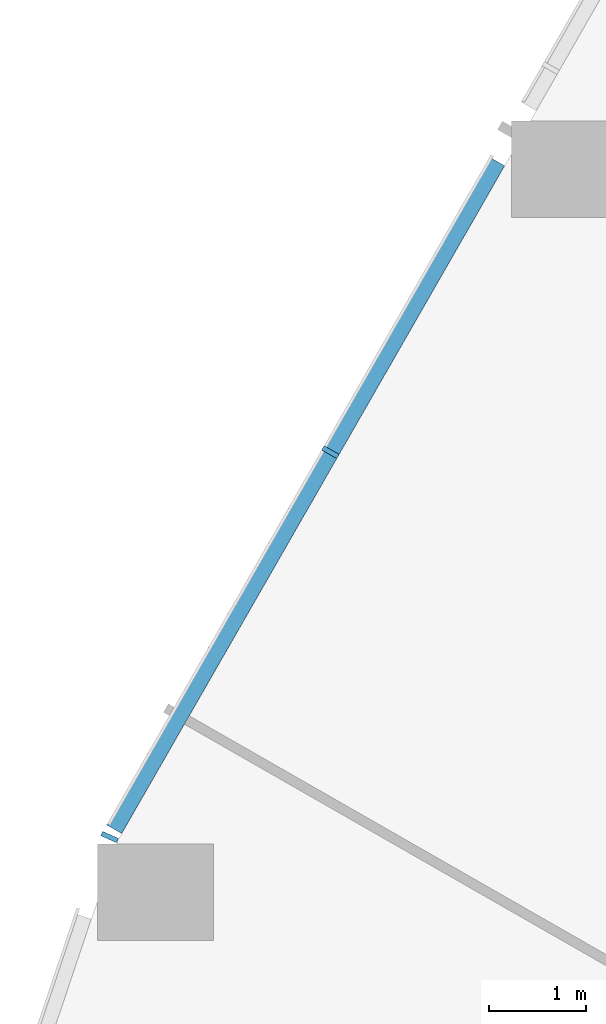
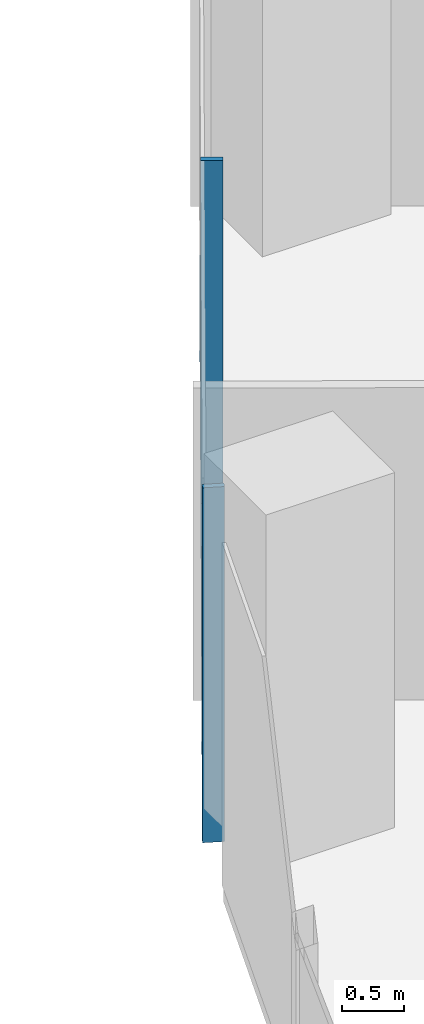
# One storey, part 4 of 35: 3 members, 1 element without a shape of its own.
"""IFC4 building model written with IfcOpenShell, lengths in metres."""

import ifcopenshell
import ifcopenshell.guid

model = None  # the IFC model being written
_history = None  # IfcOwnerHistory: only IFC2X3 demands one
_inside = {}  # id of a spatial element -> (the spatial element, [elements in it])
_under = {}  # id of a project, library or spatial element -> (it, [spatial elements below it])
_declared = {}  # id of a project -> (the project, [libraries it declares])
_typed = {}  # id of a type object -> (the type object, [elements of that type])
_made_of = {}  # id of a material, layer set ... -> (it, [elements and type objects made of it])


def new_model(schema):
    """Start an empty IFC model of exactly this schema.

    Asked for "IFC4X3", IfcOpenShell would pick the latest addendum, in which some entities
    have other attributes; the version numbers below select the first issue.
    IFC2X3 requires an IfcOwnerHistory on every rooted entity: one is made here for all.
    """
    global model, _history
    if schema == "IFC4X3":
        model = ifcopenshell.file(schema_version=(4, 3, 0, 0))
    else:
        model = ifcopenshell.file(schema=schema)
    _inside.clear()
    _under.clear()
    _declared.clear()
    _typed.clear()
    _made_of.clear()
    _history = None
    if model.schema == "IFC2X3":
        org = make("IfcOrganization", Name="unknown")
        user = make(
            "IfcPersonAndOrganization",
            ThePerson=make("IfcPerson", FamilyName="unknown"),
            TheOrganization=org,
        )
        app = make(
            "IfcApplication",
            ApplicationDeveloper=org,
            Version="unknown",
            ApplicationFullName="unknown",
            ApplicationIdentifier="unknown",
        )
        _history = make(
            "IfcOwnerHistory",
            OwningUser=user,
            OwningApplication=app,
            ChangeAction="ADDED",
            CreationDate=0,
        )
    return model


def make(cls, **values):
    """One entity of the class cls with the attributes given. An attribute that is None is left unset."""
    return model.create_entity(
        cls, **{name: value for name, value in values.items() if value is not None}
    )


def rooted(cls, **values):
    """An entity with a GlobalId (a new one), such as an element, a storey or a relation."""
    return make(cls, GlobalId=ifcopenshell.guid.new(), OwnerHistory=_history, **values)


def si_unit(unit_type, name, prefix=None):
    """IfcSIUnit, for example si_unit("LENGTHUNIT", "METRE", prefix="MILLI")."""
    return make("IfcSIUnit", UnitType=unit_type, Prefix=prefix, Name=name)


def assignment(units):
    """IfcUnitAssignment: the units of a project."""
    return None if units is None else make("IfcUnitAssignment", Units=units)


def point(xyz):
    """IfcCartesianPoint."""
    return None if xyz is None else make("IfcCartesianPoint", Coordinates=xyz)


def direction(xyz):
    """IfcDirection."""
    return None if xyz is None else make("IfcDirection", DirectionRatios=xyz)


def frame(location, z_axis=None, x_axis=None):
    """IfcAxis2Placement3D, a coordinate frame: its origin and axes. An axis left out is left unset."""
    return make(
        "IfcAxis2Placement3D",
        Location=point(location),
        Axis=direction(z_axis),
        RefDirection=direction(x_axis),
    )


def frame_2d(location, x_axis=None):
    """IfcAxis2Placement2D, a coordinate frame in the plane: its origin and x axis."""
    return make(
        "IfcAxis2Placement2D", Location=point(location), RefDirection=direction(x_axis)
    )


def origin():
    """The frame at (0, 0, 0) with its axes left unset."""
    return frame((0.0, 0.0, 0.0))


def origin_2d():
    """The frame at (0, 0) in the plane with its x axis left unset."""
    return frame_2d((0.0, 0.0))


def place(relative_to, where):
    """IfcLocalPlacement: puts the frame where relative to a parent placement (None: the world)."""
    return make(
        "IfcLocalPlacement", PlacementRelTo=relative_to, RelativePlacement=where
    )


def context(
    kind, dimensions, precision=None, world=None, true_north=None, identifier=None
):
    """IfcGeometricRepresentationContext, for example the 3D "Model" context."""
    return make(
        "IfcGeometricRepresentationContext",
        ContextIdentifier=identifier,
        ContextType=kind,
        CoordinateSpaceDimension=dimensions,
        Precision=precision,
        WorldCoordinateSystem=world,
        TrueNorth=true_north,
    )


def subcontext(parent, identifier, kind, view, scale=None):
    """IfcGeometricRepresentationSubContext, for example "Body" below "Model"."""
    return make(
        "IfcGeometricRepresentationSubContext",
        ContextIdentifier=identifier,
        ContextType=kind,
        ParentContext=parent,
        TargetScale=scale,
        TargetView=view,
    )


def project(units=None, contexts=None):
    """IfcProject with its units and contexts."""
    return rooted(
        "IfcProject",
        Name="project",
        RepresentationContexts=contexts,
        UnitsInContext=assignment(units),
    )


def spatial(cls, under=None, at=None, **own):
    """A site, building, storey or space (cls), placed at a placement, below another one or the project."""
    s = rooted(cls, ObjectPlacement=at, **own)
    if under is not None:
        _under.setdefault(under.id(), (under, []))[1].append(s)
    return s


def profile(cls, at=None, kind="AREA", **sizes):
    """A parametric profile (cls). Its sizes go by their IFC names, for example OverallWidth=200.0."""
    return make(cls, ProfileType=kind, Position=at, **sizes)


def rectangle(**sizes):
    """IfcRectangleProfileDef."""
    return profile("IfcRectangleProfileDef", **sizes)


def extrude(swept, where, along, depth):
    """IfcExtrudedAreaSolid: the profile swept, set in the frame where, extruded along a direction by depth."""
    return make(
        "IfcExtrudedAreaSolid",
        SweptArea=swept,
        Position=where,
        ExtrudedDirection=direction(along),
        Depth=depth,
    )


def shape(context_of_items, identifier, shape_type, items):
    """IfcShapeRepresentation: the items that make up one representation, for example the "Body"."""
    return make(
        "IfcShapeRepresentation",
        ContextOfItems=context_of_items,
        RepresentationIdentifier=identifier,
        RepresentationType=shape_type,
        Items=items,
    )


def material(Name=None, Category=None):
    """IfcMaterial."""
    return make("IfcMaterial", Name=Name, Category=Category)


def material_profile(
    of_material, cross_section, Name=None, Category=None, Priority=None
):
    """IfcMaterialProfile: a cross section and its material."""
    return make(
        "IfcMaterialProfile",
        Name=Name,
        Material=of_material,
        Profile=cross_section,
        Priority=Priority,
        Category=Category,
    )


def profile_set(profiles, Name=None, composite=None):
    """IfcMaterialProfileSet."""
    return make(
        "IfcMaterialProfileSet",
        Name=Name,
        MaterialProfiles=profiles,
        CompositeProfile=composite,
    )


def made_of(thing, what):
    """Note that an element or type object is made of a material, layer set ...; save() writes the relation."""
    if what is not None:
        _made_of.setdefault(what.id(), (what, []))[1].append(thing)
    return thing


def type_object(cls, material=None, **own):
    """A type object (cls), such as IfcWallType, which elements share."""
    return made_of(rooted(cls, **own), material)


def element(
    cls,
    number,
    at=None,
    inside=None,
    cuts=None,
    type_object=None,
    material=None,
    context=None,
    identifier="Body",
    shape_type=None,
    held_by="IfcProductDefinitionShape",
    body=None,
    shapes=None,
    **own,
):
    """One element of the class cls, such as IfcWall. Its Tag is "e" and its number.

    at: its placement. inside: the storey or other place that contains it. cuts: it is an
    opening in that element (IfcRelVoidsElement). A single representation is given by context,
    identifier, shape_type and body (its items); several are given by shapes. held_by: the class
    of the entity that holds the representations. save() writes the other relations.
    """
    e = rooted(cls, Tag="e%d" % number, ObjectPlacement=at, **own)
    if body is not None:
        shapes = [shape(context, identifier, shape_type, body)]
    if shapes is not None:
        e.Representation = make(held_by, Representations=shapes)
    if inside is not None:
        _inside.setdefault(inside.id(), (inside, []))[1].append(e)
    if cuts is not None:
        rooted(
            "IfcRelVoidsElement", RelatingBuildingElement=cuts, RelatedOpeningElement=e
        )
    if type_object is not None:
        _typed.setdefault(type_object.id(), (type_object, []))[1].append(e)
    return made_of(e, material)


def aggregate(whole, parts):
    """IfcRelAggregates: a whole, such as a stair, and the parts it consists of."""
    return rooted("IfcRelAggregates", RelatingObject=whole, RelatedObjects=parts)


def save(model, path):
    """Write the relations noted so far, then the file.

    IfcRelAggregates (storeys below a building ...), IfcRelContainedInSpatialStructure (elements
    in a storey), IfcRelDefinesByType, IfcRelAssociatesMaterial and IfcRelDeclares: one each for
    every whole, place, type object, material and project.
    """
    for whole, parts in _under.values():
        aggregate(whole, parts)
    for where, things in _inside.values():
        rooted(
            "IfcRelContainedInSpatialStructure",
            RelatedElements=things,
            RelatingStructure=where,
        )
    for kind, things in _typed.values():
        rooted("IfcRelDefinesByType", RelatedObjects=things, RelatingType=kind)
    for what, things in _made_of.values():
        rooted("IfcRelAssociatesMaterial", RelatedObjects=things, RelatingMaterial=what)
    for by, libraries in _declared.values():
        rooted("IfcRelDeclares", RelatingContext=by, RelatedDefinitions=libraries)
    model.write(path)


model = new_model("IFC4")

# Units and contexts
model_context = context("Model", 3, precision=1e-05, world=origin(), true_north=direction((0.0, 1.0)))
body_context = subcontext(model_context, "Body", "Model", "MODEL_VIEW")
ifc_project = project(units=[si_unit("LENGTHUNIT", "METRE"), si_unit("AREAUNIT", "SQUARE_METRE"), si_unit("VOLUMEUNIT", "CUBIC_METRE"), si_unit("PLANEANGLEUNIT", "RADIAN"), si_unit("MASSUNIT", "GRAM", prefix="KILO")], contexts=[model_context])

# Site, building, storey
site_placement = place(None, origin())
site = spatial("IfcSite", under=ifc_project, at=site_placement, CompositionType="ELEMENT")
building_placement = place(site_placement, origin())
building = spatial("IfcBuilding", under=site, at=building_placement, Name="Orlundy Tower", CompositionType="ELEMENT")
storey_placement = place(building_placement, frame((0.0, 0.0, 116.199951171875)))
storey = spatial("IfcBuildingStorey", under=building, at=storey_placement, Name="L29", CompositionType="ELEMENT", Elevation=116.199951171875)

# Curtain wall, members
ifc_material_1 = material(Name="Aluminium bronze anodised", Category="aluminium")
curtain_wall_type = type_object("IfcCurtainWallType", Name="CW1 wall", PredefinedType="NOTDEFINED", material=ifc_material_1)
curtain_wall_placement = place(storey_placement, origin())
curtain_wall = element("IfcCurtainWall", 1, at=curtain_wall_placement, inside=storey, type_object=curtain_wall_type, Name="CW1 run 012", PredefinedType="NOTDEFINED")
ifc_material_2 = material(Name="Aluminium bronze anodised", Category="aluminium")
ifc_material_profile_1 = material_profile(ifc_material_2, rectangle(XDim=0.179931640625, YDim=0.050048828125, at=origin_2d()), Name="CW1 mullion 50x180")
ifc_profile_set_1 = profile_set([ifc_material_profile_1], Name="Aluminium bronze anodised")
member_type_1 = type_object("IfcMemberType", Name="CW1 mullion 50x180", PredefinedType="MULLION", material=ifc_profile_set_1)
member_1_placement = place(storey_placement, frame((-42.305419921875, -33.386962890625, -0.39990234375), z_axis=(0.0, 0.0, 1.0), x_axis=(-0.912034315786, 0.410113894948, 0.0)))
member_1 = element("IfcMember", 2, at=member_1_placement, type_object=member_type_1, Name="CW1 mullion 26", PredefinedType="MULLION", context=body_context, shape_type="SweptSolid", body=[
    extrude(rectangle(XDim=0.179931640625, YDim=0.050048828125, at=origin_2d()), origin(), (0.0, 0.0, 1.0), 3.5),
])
member_2_placement = place(storey_placement, frame((-40.018310546875, -29.398681640625, -0.39990234375), z_axis=(0.0, 0.0, 1.0), x_axis=(-0.867482152182, 0.497468306172, 0.0)))
member_2 = element("IfcMember", 3, at=member_2_placement, type_object=member_type_1, Name="CW1 mullion 27", PredefinedType="MULLION", context=body_context, shape_type="SweptSolid", body=[
    extrude(rectangle(XDim=0.179931640625, YDim=0.050048828125, at=origin_2d()), origin(), (0.0, 0.0, 1.0), 3.5),
])
ifc_material_3 = material(Name="Aluminium bronze anodised", Category="aluminium")
ifc_material_profile_2 = material_profile(ifc_material_3, rectangle(XDim=0.179931640625, YDim=0.1201171875, at=origin_2d()), Name="CW1 transom 180x120")
ifc_profile_set_2 = profile_set([ifc_material_profile_2], Name="Aluminium bronze anodised")
member_type_2 = type_object("IfcMemberType", Name="CW1 transom 180x120", PredefinedType="USERDEFINED", material=ifc_profile_set_2)
member_3_placement = place(storey_placement, frame((-42.259033203125, -33.305908203125, -0.33984375), z_axis=(0.497466731285, 0.867483055318, 0.0), x_axis=(-0.867483055318, 0.497466731285, 0.0)))
member_3 = element("IfcMember", 4, at=member_3_placement, type_object=member_type_2, Name="CW1 transom", ObjectType="TRANSOM", PredefinedType="USERDEFINED", context=body_context, shape_type="SweptSolid", body=[
    extrude(rectangle(XDim=0.179931640625, YDim=0.1201171875, at=origin_2d()), origin(), (0.0, 0.0, 1.0), 7.9765625),
])
aggregate(curtain_wall, [member_1, member_2, member_3])

save(model, "model.ifc")
